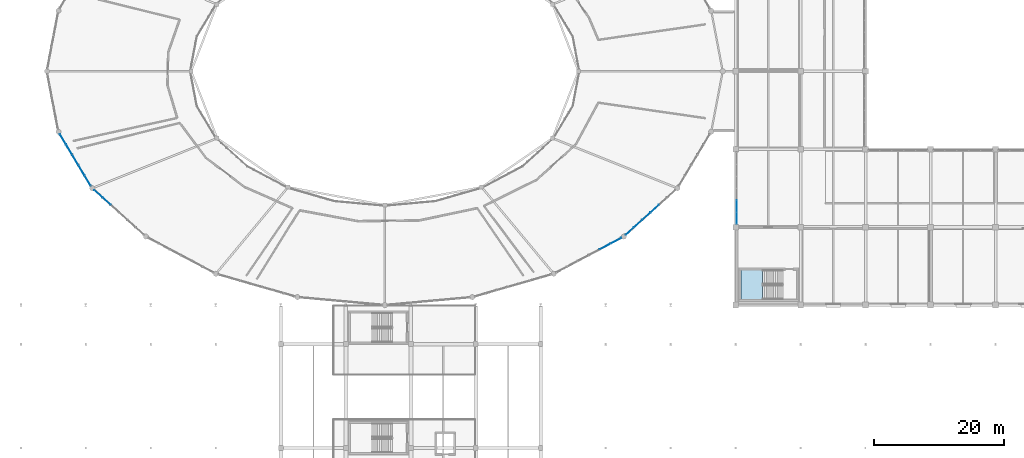
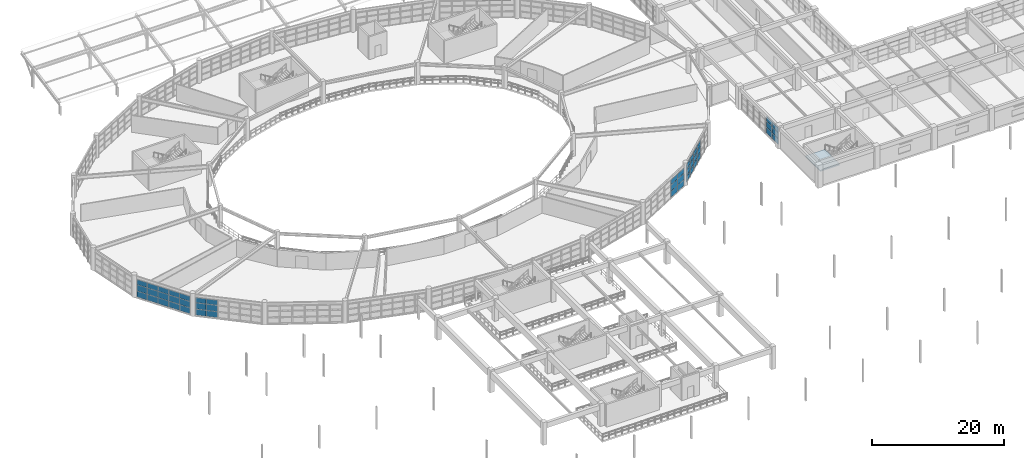
# One storey, part 64 of 100: 45 plates, 1 slab, 6 elements without a shape of their own.
"""IFC4 building model written with IfcOpenShell, lengths in metres."""

from ifc_helpers import new_model, si_unit, direction, frame, origin, origin_2d, place, context, subcontext, project, spatial, polyline, rectangle, outline, extrude, material, layer, layer_set, type_object, element, aggregate, save


model = new_model("IFC4")

# Units and contexts
model_context = context("Model", 3, precision=1e-05, world=origin(), true_north=direction((0.0, 1.0)))
body_context = subcontext(model_context, "Body", "Model", "MODEL_VIEW")
ifc_project = project(units=[si_unit("LENGTHUNIT", "METRE"), si_unit("AREAUNIT", "SQUARE_METRE"), si_unit("VOLUMEUNIT", "CUBIC_METRE"), si_unit("PLANEANGLEUNIT", "RADIAN"), si_unit("MASSUNIT", "GRAM", prefix="KILO")], contexts=[model_context])

# Site, building, storey
site_placement = place(None, origin())
site = spatial("IfcSite", under=ifc_project, at=site_placement, CompositionType="ELEMENT")
building_placement = place(site_placement, origin())
building = spatial("IfcBuilding", under=site, at=building_placement, Name="Kivolera Central Railway Station", CompositionType="ELEMENT")
storey_placement = place(building_placement, frame((0.0, 0.0, 5.39990234375)))
storey = spatial("IfcBuildingStorey", under=building, at=storey_placement, Name="L01", CompositionType="ELEMENT", Elevation=5.39990234375)

# Curtain wall, plates
ifc_material_1 = material(Name="Anodised aluminium", Category="aluminium")
ifc_layer_1 = layer(ifc_material_1, 0.179931640625, Name="Anodised aluminium")
ifc_layer_set_1 = layer_set([ifc_layer_1], Name="Anodised aluminium")
curtain_wall_type_1 = type_object("IfcCurtainWallType", Name="CW-SYS-05", PredefinedType="NOTDEFINED", material=ifc_layer_set_1)
curtain_wall_1_placement = place(storey_placement, origin())
curtain_wall_1 = element("IfcCurtainWall", 1, at=curtain_wall_1_placement, inside=storey, type_object=curtain_wall_type_1, Name="L01 Curtain Wall CW-L01-OVL-14", PredefinedType="NOTDEFINED")
ifc_material_2 = material(Name="Double low-E laminated glass", Category="glass")
ifc_layer_2 = layer(ifc_material_2, 0.02587890625, Name="Double low-E laminated glass")
ifc_layer_set_2 = layer_set([ifc_layer_2], Name="Double low-E laminated glass")
plate_type_1 = type_object("IfcPlateType", Name="CWP-GLZ-1", PredefinedType="CURTAIN_PANEL", material=ifc_layer_set_2)
plate_1_placement = place(storey_placement, frame((21.18115234375, 70.001953125, 0.05810546875), z_axis=(0.0, 0.0, 1.0), x_axis=(-0.742431873669, 0.669921572246, 0.0)))
plate_1 = element("IfcPlate", 2, at=plate_1_placement, type_object=plate_type_1, Name="CW-05 panel 5.1", PredefinedType="CURTAIN_PANEL", context=body_context, shape_type="SweptSolid", body=[
    extrude(rectangle(XDim=1.675537109375, YDim=0.02587890625, at=origin_2d()), origin(), (0.0, 0.0, 1.0), 1.087890625),
])
plate_2_placement = place(storey_placement, frame((21.18115234375, 70.001953125, 1.192138671875), z_axis=(0.0, 0.0, 1.0), x_axis=(-0.742431873669, 0.669921572246, 0.0)))
plate_2 = element("IfcPlate", 3, at=plate_2_placement, type_object=plate_type_1, Name="CW-05 panel 5.2", PredefinedType="CURTAIN_PANEL", context=body_context, shape_type="SweptSolid", body=[
    extrude(rectangle(XDim=1.675537109375, YDim=0.02587890625, at=origin_2d()), origin(), (0.0, 0.0, 1.0), 1.123046875),
])
plate_3_placement = place(storey_placement, frame((21.18115234375, 70.001953125, 2.361083984375), z_axis=(0.0, 0.0, 1.0), x_axis=(-0.742431873669, 0.669921572246, 0.0)))
plate_3 = element("IfcPlate", 4, at=plate_3_placement, type_object=plate_type_1, Name="CW-05 panel 5.3", PredefinedType="CURTAIN_PANEL", context=body_context, shape_type="SweptSolid", body=[
    extrude(rectangle(XDim=1.675537109375, YDim=0.02587890625, at=origin_2d()), origin(), (0.0, 0.0, 1.0), 0.9208984375),
])
plate_4_placement = place(storey_placement, frame((19.916015625, 71.1435546875, 0.05810546875), z_axis=(0.0, 0.0, 1.0), x_axis=(-0.742431873669, 0.669921572246, 0.0)))
plate_4 = element("IfcPlate", 5, at=plate_4_placement, type_object=plate_type_1, Name="CW-05 panel 6.1", PredefinedType="CURTAIN_PANEL", context=body_context, shape_type="SweptSolid", body=[
    extrude(rectangle(XDim=1.640625, YDim=0.02587890625, at=origin_2d()), origin(), (0.0, 0.0, 1.0), 1.087890625),
])
plate_5_placement = place(storey_placement, frame((19.916015625, 71.1435546875, 1.192138671875), z_axis=(0.0, 0.0, 1.0), x_axis=(-0.742431873669, 0.669921572246, 0.0)))
plate_5 = element("IfcPlate", 6, at=plate_5_placement, type_object=plate_type_1, Name="CW-05 panel 6.2", PredefinedType="CURTAIN_PANEL", context=body_context, shape_type="SweptSolid", body=[
    extrude(rectangle(XDim=1.640625, YDim=0.02587890625, at=origin_2d()), origin(), (0.0, 0.0, 1.0), 1.123046875),
])
plate_6_placement = place(storey_placement, frame((19.916015625, 71.1435546875, 2.361083984375), z_axis=(0.0, 0.0, 1.0), x_axis=(-0.742431873669, 0.669921572246, 0.0)))
plate_6 = element("IfcPlate", 7, at=plate_6_placement, type_object=plate_type_1, Name="CW-05 panel 6.3", PredefinedType="CURTAIN_PANEL", context=body_context, shape_type="SweptSolid", body=[
    extrude(rectangle(XDim=1.640625, YDim=0.02587890625, at=origin_2d()), origin(), (0.0, 0.0, 1.0), 0.9208984375),
])
aggregate(curtain_wall_1, [plate_1, plate_2, plate_3, plate_4, plate_5, plate_6])

ifc_layer_3 = layer(ifc_material_1, 0.179931640625, Name="Anodised aluminium")
ifc_layer_set_3 = layer_set([ifc_layer_3], Name="Anodised aluminium")
curtain_wall_type_2 = type_object("IfcCurtainWallType", Name="CW-SYS-08", PredefinedType="NOTDEFINED", material=ifc_layer_set_3)
curtain_wall_2_placement = place(storey_placement, origin())
curtain_wall_2 = element("IfcCurtainWall", 8, at=curtain_wall_2_placement, inside=storey, type_object=curtain_wall_type_2, Name="L01 Curtain Wall CW-L01-OVL-20", PredefinedType="NOTDEFINED")
ifc_layer_4 = layer(ifc_material_2, 0.030029296875, Name="Double low-E laminated glass")
ifc_layer_set_4 = layer_set([ifc_layer_4], Name="Double low-E laminated glass")
plate_type_2 = type_object("IfcPlateType", Name="CWP-GLZ-2", PredefinedType="CURTAIN_PANEL", material=ifc_layer_set_4)
plate_7_placement = place(storey_placement, frame((99.56298828125, 63.90234375, 0.05810546875), z_axis=(0.0, 0.0, 1.0), x_axis=(-0.883170250772, -0.46905256438, 0.0)))
plate_7 = element("IfcPlate", 9, at=plate_7_placement, type_object=plate_type_2, Name="CW-08 panel 1.1", PredefinedType="CURTAIN_PANEL", context=body_context, shape_type="SweptSolid", body=[
    extrude(rectangle(XDim=1.818115234375, YDim=0.030029296875, at=origin_2d()), origin(), (0.0, 0.0, 1.0), 1.087890625),
])
plate_8_placement = place(storey_placement, frame((99.56298828125, 63.90234375, 1.192138671875), z_axis=(0.0, 0.0, 1.0), x_axis=(-0.883170250772, -0.46905256438, 0.0)))
plate_8 = element("IfcPlate", 10, at=plate_8_placement, type_object=plate_type_2, Name="CW-08 panel 1.2", PredefinedType="CURTAIN_PANEL", context=body_context, shape_type="SweptSolid", body=[
    extrude(rectangle(XDim=1.818115234375, YDim=0.030029296875, at=origin_2d()), origin(), (0.0, 0.0, 1.0), 1.123046875),
])
plate_9_placement = place(storey_placement, frame((99.56298828125, 63.90234375, 2.361083984375), z_axis=(0.0, 0.0, 1.0), x_axis=(-0.883170250772, -0.46905256438, 0.0)))
plate_9 = element("IfcPlate", 11, at=plate_9_placement, type_object=plate_type_2, Name="CW-08 panel 1.3", PredefinedType="CURTAIN_PANEL", context=body_context, shape_type="SweptSolid", body=[
    extrude(rectangle(XDim=1.818115234375, YDim=0.030029296875, at=origin_2d()), origin(), (0.0, 0.0, 1.0), 0.9208984375),
])
plate_10_placement = place(storey_placement, frame((97.90087890625, 63.019775390625, 0.05810546875), z_axis=(0.0, 0.0, 1.0), x_axis=(-0.883170250772, -0.46905256438, 0.0)))
plate_10 = element("IfcPlate", 12, at=plate_10_placement, type_object=plate_type_2, Name="CW-08 panel 2.1", PredefinedType="CURTAIN_PANEL", context=body_context, shape_type="SweptSolid", body=[
    extrude(rectangle(XDim=1.853271484375, YDim=0.030029296875, at=origin_2d()), origin(), (0.0, 0.0, 1.0), 1.087890625),
])
plate_11_placement = place(storey_placement, frame((97.90087890625, 63.019775390625, 1.192138671875), z_axis=(0.0, 0.0, 1.0), x_axis=(-0.883170250772, -0.46905256438, 0.0)))
plate_11 = element("IfcPlate", 13, at=plate_11_placement, type_object=plate_type_2, Name="CW-08 panel 2.2", PredefinedType="CURTAIN_PANEL", context=body_context, shape_type="SweptSolid", body=[
    extrude(rectangle(XDim=1.853271484375, YDim=0.030029296875, at=origin_2d()), origin(), (0.0, 0.0, 1.0), 1.123046875),
])
plate_12_placement = place(storey_placement, frame((97.90087890625, 63.019775390625, 2.361083984375), z_axis=(0.0, 0.0, 1.0), x_axis=(-0.883170250772, -0.46905256438, 0.0)))
plate_12 = element("IfcPlate", 14, at=plate_12_placement, type_object=plate_type_2, Name="CW-08 panel 2.3", PredefinedType="CURTAIN_PANEL", context=body_context, shape_type="SweptSolid", body=[
    extrude(rectangle(XDim=1.853271484375, YDim=0.030029296875, at=origin_2d()), origin(), (0.0, 0.0, 1.0), 0.9208984375),
])
aggregate(curtain_wall_2, [plate_7, plate_8, plate_9, plate_10, plate_11, plate_12])

ifc_layer_5 = layer(ifc_material_1, 0.179931640625, Name="Anodised aluminium")
ifc_layer_set_5 = layer_set([ifc_layer_5], Name="Anodised aluminium")
curtain_wall_type_3 = type_object("IfcCurtainWallType", Name="CW-SYS-26", PredefinedType="NOTDEFINED", material=ifc_layer_set_5)
curtain_wall_3_placement = place(storey_placement, origin())
curtain_wall_3 = element("IfcCurtainWall", 15, at=curtain_wall_3_placement, inside=storey, type_object=curtain_wall_type_3, Name="L01 Curtain Wall CW-L01-WEST-F", PredefinedType="NOTDEFINED")
plate_13_placement = place(storey_placement, frame((118.159912109375, 67.388427734375, 0.05810546875), z_axis=(0.0, 0.0, 1.0), x_axis=(0.0, 1.0, 0.0)))
plate_13 = element("IfcPlate", 16, at=plate_13_placement, type_object=plate_type_2, Name="CW-26 panel 1.1", PredefinedType="CURTAIN_PANEL", context=body_context, shape_type="SweptSolid", body=[
    extrude(rectangle(XDim=1.770751953125, YDim=0.030029296875, at=origin_2d()), origin(), (0.0, 0.0, 1.0), 1.04541015625),
])
plate_14_placement = place(storey_placement, frame((118.159912109375, 67.388427734375, 1.1494140625), z_axis=(0.0, 0.0, 1.0), x_axis=(0.0, 1.0, 0.0)))
plate_14 = element("IfcPlate", 17, at=plate_14_placement, type_object=plate_type_2, Name="CW-26 panel 1.2", PredefinedType="CURTAIN_PANEL", context=body_context, shape_type="SweptSolid", body=[
    extrude(rectangle(XDim=1.770751953125, YDim=0.030029296875, at=origin_2d()), origin(), (0.0, 0.0, 1.0), 1.080322265625),
])
plate_15_placement = place(storey_placement, frame((118.159912109375, 67.388427734375, 2.27587890625), z_axis=(0.0, 0.0, 1.0), x_axis=(0.0, 1.0, 0.0)))
plate_15 = element("IfcPlate", 18, at=plate_15_placement, type_object=plate_type_2, Name="CW-26 panel 1.3", PredefinedType="CURTAIN_PANEL", context=body_context, shape_type="SweptSolid", body=[
    extrude(rectangle(XDim=1.770751953125, YDim=0.030029296875, at=origin_2d()), origin(), (0.0, 0.0, 1.0), 0.884521484375),
])
plate_16_placement = place(storey_placement, frame((118.159912109375, 69.222412109375, 0.05810546875), z_axis=(0.0, 0.0, 1.0), x_axis=(0.0, 1.0, 0.0)))
plate_16 = element("IfcPlate", 19, at=plate_16_placement, type_object=plate_type_2, Name="CW-26 panel 2.1", PredefinedType="CURTAIN_PANEL", context=body_context, shape_type="SweptSolid", body=[
    extrude(rectangle(XDim=1.8056640625, YDim=0.030029296875, at=origin_2d()), origin(), (0.0, 0.0, 1.0), 1.04541015625),
])
plate_17_placement = place(storey_placement, frame((118.159912109375, 69.222412109375, 1.1494140625), z_axis=(0.0, 0.0, 1.0), x_axis=(0.0, 1.0, 0.0)))
plate_17 = element("IfcPlate", 20, at=plate_17_placement, type_object=plate_type_2, Name="CW-26 panel 2.2", PredefinedType="CURTAIN_PANEL", context=body_context, shape_type="SweptSolid", body=[
    extrude(rectangle(XDim=1.8056640625, YDim=0.030029296875, at=origin_2d()), origin(), (0.0, 0.0, 1.0), 1.080322265625),
])
plate_18_placement = place(storey_placement, frame((118.159912109375, 69.222412109375, 2.27587890625), z_axis=(0.0, 0.0, 1.0), x_axis=(0.0, 1.0, 0.0)))
plate_18 = element("IfcPlate", 21, at=plate_18_placement, type_object=plate_type_2, Name="CW-26 panel 2.3", PredefinedType="CURTAIN_PANEL", context=body_context, shape_type="SweptSolid", body=[
    extrude(rectangle(XDim=1.8056640625, YDim=0.030029296875, at=origin_2d()), origin(), (0.0, 0.0, 1.0), 0.884521484375),
])
aggregate(curtain_wall_3, [plate_13, plate_14, plate_15, plate_16, plate_17, plate_18])

curtain_wall_4_placement = place(storey_placement, origin())
curtain_wall_4 = element("IfcCurtainWall", 22, at=curtain_wall_4_placement, inside=storey, type_object=curtain_wall_type_1, Name="L01 Curtain Wall CW-L01-OVL-21", PredefinedType="NOTDEFINED")
ifc_layer_6 = layer(ifc_material_2, 0.033935546875, Name="Double low-E laminated glass")
ifc_layer_set_6 = layer_set([ifc_layer_6], Name="Double low-E laminated glass")
plate_type_3 = type_object("IfcPlateType", Name="CWP-GLZ-3", PredefinedType="CURTAIN_PANEL", material=ifc_layer_set_6)
plate_19_placement = place(storey_placement, frame((105.54052734375, 68.8486328125, 0.05810546875), z_axis=(0.0, 0.0, 1.0), x_axis=(-0.742431873669, -0.669921572246, 0.0)))
plate_19 = element("IfcPlate", 23, at=plate_19_placement, type_object=plate_type_3, Name="CW-05 panel 3.1", PredefinedType="CURTAIN_PANEL", context=body_context, shape_type="SweptSolid", body=[
    extrude(rectangle(XDim=1.675537109375, YDim=0.033935546875, at=origin_2d()), origin(), (0.0, 0.0, 1.0), 1.087890625),
])
plate_20_placement = place(storey_placement, frame((105.54052734375, 68.8486328125, 1.192138671875), z_axis=(0.0, 0.0, 1.0), x_axis=(-0.742431873669, -0.669921572246, 0.0)))
plate_20 = element("IfcPlate", 24, at=plate_20_placement, type_object=plate_type_3, Name="CW-05 panel 3.2", PredefinedType="CURTAIN_PANEL", context=body_context, shape_type="SweptSolid", body=[
    extrude(rectangle(XDim=1.675537109375, YDim=0.033935546875, at=origin_2d()), origin(), (0.0, 0.0, 1.0), 1.123046875),
])
plate_21_placement = place(storey_placement, frame((105.54052734375, 68.8486328125, 2.361083984375), z_axis=(0.0, 0.0, 1.0), x_axis=(-0.742431873669, -0.669921572246, 0.0)))
plate_21 = element("IfcPlate", 25, at=plate_21_placement, type_object=plate_type_3, Name="CW-05 panel 3.3", PredefinedType="CURTAIN_PANEL", context=body_context, shape_type="SweptSolid", body=[
    extrude(rectangle(XDim=1.675537109375, YDim=0.033935546875, at=origin_2d()), origin(), (0.0, 0.0, 1.0), 0.9208984375),
])
plate_22_placement = place(storey_placement, frame((104.262451171875, 67.6953125, 0.05810546875), z_axis=(0.0, 0.0, 1.0), x_axis=(-0.742431873669, -0.669921572246, 0.0)))
plate_22 = element("IfcPlate", 26, at=plate_22_placement, type_object=plate_type_3, Name="CW-05 panel 4.1", PredefinedType="CURTAIN_PANEL", context=body_context, shape_type="SweptSolid", body=[
    extrude(rectangle(XDim=1.675537109375, YDim=0.033935546875, at=origin_2d()), origin(), (0.0, 0.0, 1.0), 1.087890625),
])
plate_23_placement = place(storey_placement, frame((104.262451171875, 67.6953125, 1.192138671875), z_axis=(0.0, 0.0, 1.0), x_axis=(-0.742431873669, -0.669921572246, 0.0)))
plate_23 = element("IfcPlate", 27, at=plate_23_placement, type_object=plate_type_3, Name="CW-05 panel 4.2", PredefinedType="CURTAIN_PANEL", context=body_context, shape_type="SweptSolid", body=[
    extrude(rectangle(XDim=1.675537109375, YDim=0.033935546875, at=origin_2d()), origin(), (0.0, 0.0, 1.0), 1.123046875),
])
plate_24_placement = place(storey_placement, frame((104.262451171875, 67.6953125, 2.361083984375), z_axis=(0.0, 0.0, 1.0), x_axis=(-0.742431873669, -0.669921572246, 0.0)))
plate_24 = element("IfcPlate", 28, at=plate_24_placement, type_object=plate_type_3, Name="CW-05 panel 4.3", PredefinedType="CURTAIN_PANEL", context=body_context, shape_type="SweptSolid", body=[
    extrude(rectangle(XDim=1.675537109375, YDim=0.033935546875, at=origin_2d()), origin(), (0.0, 0.0, 1.0), 0.9208984375),
])
plate_25_placement = place(storey_placement, frame((102.984130859375, 66.5419921875, 0.05810546875), z_axis=(0.0, 0.0, 1.0), x_axis=(-0.742431873669, -0.669921572246, 0.0)))
plate_25 = element("IfcPlate", 29, at=plate_25_placement, type_object=plate_type_3, Name="CW-05 panel 5.1", PredefinedType="CURTAIN_PANEL", context=body_context, shape_type="SweptSolid", body=[
    extrude(rectangle(XDim=1.675537109375, YDim=0.033935546875, at=origin_2d()), origin(), (0.0, 0.0, 1.0), 1.087890625),
])
plate_26_placement = place(storey_placement, frame((102.984130859375, 66.5419921875, 1.192138671875), z_axis=(0.0, 0.0, 1.0), x_axis=(-0.742431873669, -0.669921572246, 0.0)))
plate_26 = element("IfcPlate", 30, at=plate_26_placement, type_object=plate_type_3, Name="CW-05 panel 5.2", PredefinedType="CURTAIN_PANEL", context=body_context, shape_type="SweptSolid", body=[
    extrude(rectangle(XDim=1.675537109375, YDim=0.033935546875, at=origin_2d()), origin(), (0.0, 0.0, 1.0), 1.123046875),
])
plate_27_placement = place(storey_placement, frame((102.984130859375, 66.5419921875, 2.361083984375), z_axis=(0.0, 0.0, 1.0), x_axis=(-0.742431873669, -0.669921572246, 0.0)))
plate_27 = element("IfcPlate", 31, at=plate_27_placement, type_object=plate_type_3, Name="CW-05 panel 5.3", PredefinedType="CURTAIN_PANEL", context=body_context, shape_type="SweptSolid", body=[
    extrude(rectangle(XDim=1.675537109375, YDim=0.033935546875, at=origin_2d()), origin(), (0.0, 0.0, 1.0), 0.9208984375),
])
plate_28_placement = place(storey_placement, frame((101.718994140625, 65.400390625, 0.05810546875), z_axis=(0.0, 0.0, 1.0), x_axis=(-0.742431873669, -0.669921572246, 0.0)))
plate_28 = element("IfcPlate", 32, at=plate_28_placement, type_object=plate_type_3, Name="CW-05 panel 6.1", PredefinedType="CURTAIN_PANEL", context=body_context, shape_type="SweptSolid", body=[
    extrude(rectangle(XDim=1.640625, YDim=0.033935546875, at=origin_2d()), origin(), (0.0, 0.0, 1.0), 1.087890625),
])
plate_29_placement = place(storey_placement, frame((101.718994140625, 65.400390625, 1.192138671875), z_axis=(0.0, 0.0, 1.0), x_axis=(-0.742431873669, -0.669921572246, 0.0)))
plate_29 = element("IfcPlate", 33, at=plate_29_placement, type_object=plate_type_3, Name="CW-05 panel 6.2", PredefinedType="CURTAIN_PANEL", context=body_context, shape_type="SweptSolid", body=[
    extrude(rectangle(XDim=1.640625, YDim=0.033935546875, at=origin_2d()), origin(), (0.0, 0.0, 1.0), 1.123046875),
])
plate_30_placement = place(storey_placement, frame((101.718994140625, 65.400390625, 2.361083984375), z_axis=(0.0, 0.0, 1.0), x_axis=(-0.742431873669, -0.669921572246, 0.0)))
plate_30 = element("IfcPlate", 34, at=plate_30_placement, type_object=plate_type_3, Name="CW-05 panel 6.3", PredefinedType="CURTAIN_PANEL", context=body_context, shape_type="SweptSolid", body=[
    extrude(rectangle(XDim=1.640625, YDim=0.033935546875, at=origin_2d()), origin(), (0.0, 0.0, 1.0), 0.9208984375),
])
aggregate(curtain_wall_4, [plate_19, plate_20, plate_21, plate_22, plate_23, plate_24, plate_25, plate_26, plate_27, plate_28, plate_29, plate_30])

ifc_layer_7 = layer(ifc_material_1, 0.179931640625, Name="Anodised aluminium")
ifc_layer_set_7 = layer_set([ifc_layer_7], Name="Anodised aluminium")
curtain_wall_type_4 = type_object("IfcCurtainWallType", Name="CW-SYS-02", PredefinedType="NOTDEFINED", material=ifc_layer_set_7)
curtain_wall_5_placement = place(storey_placement, origin())
curtain_wall_5 = element("IfcCurtainWall", 35, at=curtain_wall_5_placement, inside=storey, type_object=curtain_wall_type_4, Name="L01 Curtain Wall CW-L01-OVL-13", PredefinedType="NOTDEFINED")
ifc_layer_8 = layer(ifc_material_2, 0.0419921875, Name="Double low-E laminated glass")
ifc_layer_set_8 = layer_set([ifc_layer_8], Name="Double low-E laminated glass")
plate_type_4 = type_object("IfcPlateType", Name="CWP-GLZ-5", PredefinedType="CURTAIN_PANEL", material=ifc_layer_set_8)
plate_31_placement = place(storey_placement, frame((18.2744140625, 73.15771484375, 0.05810546875), z_axis=(0.0, 0.0, 1.0), x_axis=(-0.513453894052, 0.858117182372, 0.0)))
plate_31 = element("IfcPlate", 36, at=plate_31_placement, type_object=plate_type_4, Name="CW-02 panel 1.1", PredefinedType="CURTAIN_PANEL", context=body_context, shape_type="SweptSolid", body=[
    extrude(rectangle(XDim=1.782958984375, YDim=0.0419921875, at=origin_2d()), origin(), (0.0, 0.0, 1.0), 1.087890625),
])
plate_32_placement = place(storey_placement, frame((18.2744140625, 73.15771484375, 1.192138671875), z_axis=(0.0, 0.0, 1.0), x_axis=(-0.513453894052, 0.858117182372, 0.0)))
plate_32 = element("IfcPlate", 37, at=plate_32_placement, type_object=plate_type_4, Name="CW-02 panel 1.2", PredefinedType="CURTAIN_PANEL", context=body_context, shape_type="SweptSolid", body=[
    extrude(rectangle(XDim=1.782958984375, YDim=0.0419921875, at=origin_2d()), origin(), (0.0, 0.0, 1.0), 1.123046875),
])
plate_33_placement = place(storey_placement, frame((18.2744140625, 73.15771484375, 2.361083984375), z_axis=(0.0, 0.0, 1.0), x_axis=(-0.513453894052, 0.858117182372, 0.0)))
plate_33 = element("IfcPlate", 38, at=plate_33_placement, type_object=plate_type_4, Name="CW-02 panel 1.3", PredefinedType="CURTAIN_PANEL", context=body_context, shape_type="SweptSolid", body=[
    extrude(rectangle(XDim=1.782958984375, YDim=0.0419921875, at=origin_2d()), origin(), (0.0, 0.0, 1.0), 0.9208984375),
])
plate_34_placement = place(storey_placement, frame((17.326416015625, 74.7421875, 0.05810546875), z_axis=(0.0, 0.0, 1.0), x_axis=(-0.513453894052, 0.858117182372, 0.0)))
plate_34 = element("IfcPlate", 39, at=plate_34_placement, type_object=plate_type_4, Name="CW-02 panel 2.1", PredefinedType="CURTAIN_PANEL", context=body_context, shape_type="SweptSolid", body=[
    extrude(rectangle(XDim=1.81787109375, YDim=0.0419921875, at=origin_2d()), origin(), (0.0, 0.0, 1.0), 1.087890625),
])
plate_35_placement = place(storey_placement, frame((17.326416015625, 74.7421875, 1.192138671875), z_axis=(0.0, 0.0, 1.0), x_axis=(-0.513453894052, 0.858117182372, 0.0)))
plate_35 = element("IfcPlate", 40, at=plate_35_placement, type_object=plate_type_4, Name="CW-02 panel 2.2", PredefinedType="CURTAIN_PANEL", context=body_context, shape_type="SweptSolid", body=[
    extrude(rectangle(XDim=1.81787109375, YDim=0.0419921875, at=origin_2d()), origin(), (0.0, 0.0, 1.0), 1.123046875),
])
plate_36_placement = place(storey_placement, frame((17.326416015625, 74.7421875, 2.361083984375), z_axis=(0.0, 0.0, 1.0), x_axis=(-0.513453894052, 0.858117182372, 0.0)))
plate_36 = element("IfcPlate", 41, at=plate_36_placement, type_object=plate_type_4, Name="CW-02 panel 2.3", PredefinedType="CURTAIN_PANEL", context=body_context, shape_type="SweptSolid", body=[
    extrude(rectangle(XDim=1.81787109375, YDim=0.0419921875, at=origin_2d()), origin(), (0.0, 0.0, 1.0), 0.9208984375),
])
plate_37_placement = place(storey_placement, frame((16.369384765625, 76.341552734375, 0.05810546875), z_axis=(0.0, 0.0, 1.0), x_axis=(-0.513453894052, 0.858117182372, 0.0)))
plate_37 = element("IfcPlate", 42, at=plate_37_placement, type_object=plate_type_4, Name="CW-02 panel 3.1", PredefinedType="CURTAIN_PANEL", context=body_context, shape_type="SweptSolid", body=[
    extrude(rectangle(XDim=1.81787109375, YDim=0.0419921875, at=origin_2d()), origin(), (0.0, 0.0, 1.0), 1.087890625),
])
plate_38_placement = place(storey_placement, frame((16.369384765625, 76.341552734375, 1.192138671875), z_axis=(0.0, 0.0, 1.0), x_axis=(-0.513453894052, 0.858117182372, 0.0)))
plate_38 = element("IfcPlate", 43, at=plate_38_placement, type_object=plate_type_4, Name="CW-02 panel 3.2", PredefinedType="CURTAIN_PANEL", context=body_context, shape_type="SweptSolid", body=[
    extrude(rectangle(XDim=1.81787109375, YDim=0.0419921875, at=origin_2d()), origin(), (0.0, 0.0, 1.0), 1.123046875),
])
plate_39_placement = place(storey_placement, frame((16.369384765625, 76.341552734375, 2.361083984375), z_axis=(0.0, 0.0, 1.0), x_axis=(-0.513453894052, 0.858117182372, 0.0)))
plate_39 = element("IfcPlate", 44, at=plate_39_placement, type_object=plate_type_4, Name="CW-02 panel 3.3", PredefinedType="CURTAIN_PANEL", context=body_context, shape_type="SweptSolid", body=[
    extrude(rectangle(XDim=1.81787109375, YDim=0.0419921875, at=origin_2d()), origin(), (0.0, 0.0, 1.0), 0.9208984375),
])
plate_40_placement = place(storey_placement, frame((15.41259765625, 77.94091796875, 0.05810546875), z_axis=(0.0, 0.0, 1.0), x_axis=(-0.513453894052, 0.858117182372, 0.0)))
plate_40 = element("IfcPlate", 45, at=plate_40_placement, type_object=plate_type_4, Name="CW-02 panel 4.1", PredefinedType="CURTAIN_PANEL", context=body_context, shape_type="SweptSolid", body=[
    extrude(rectangle(XDim=1.81787109375, YDim=0.0419921875, at=origin_2d()), origin(), (0.0, 0.0, 1.0), 1.087890625),
])
plate_41_placement = place(storey_placement, frame((15.41259765625, 77.94091796875, 1.192138671875), z_axis=(0.0, 0.0, 1.0), x_axis=(-0.513453894052, 0.858117182372, 0.0)))
plate_41 = element("IfcPlate", 46, at=plate_41_placement, type_object=plate_type_4, Name="CW-02 panel 4.2", PredefinedType="CURTAIN_PANEL", context=body_context, shape_type="SweptSolid", body=[
    extrude(rectangle(XDim=1.81787109375, YDim=0.0419921875, at=origin_2d()), origin(), (0.0, 0.0, 1.0), 1.123046875),
])
plate_42_placement = place(storey_placement, frame((15.41259765625, 77.94091796875, 2.361083984375), z_axis=(0.0, 0.0, 1.0), x_axis=(-0.513453894052, 0.858117182372, 0.0)))
plate_42 = element("IfcPlate", 47, at=plate_42_placement, type_object=plate_type_4, Name="CW-02 panel 4.3", PredefinedType="CURTAIN_PANEL", context=body_context, shape_type="SweptSolid", body=[
    extrude(rectangle(XDim=1.81787109375, YDim=0.0419921875, at=origin_2d()), origin(), (0.0, 0.0, 1.0), 0.9208984375),
])
plate_43_placement = place(storey_placement, frame((14.464599609375, 79.525390625, 0.05810546875), z_axis=(0.0, 0.0, 1.0), x_axis=(-0.513453894052, 0.858117182372, 0.0)))
plate_43 = element("IfcPlate", 48, at=plate_43_placement, type_object=plate_type_4, Name="CW-02 panel 5.1", PredefinedType="CURTAIN_PANEL", context=body_context, shape_type="SweptSolid", body=[
    extrude(rectangle(XDim=1.782958984375, YDim=0.0419921875, at=origin_2d()), origin(), (0.0, 0.0, 1.0), 1.087890625),
])
plate_44_placement = place(storey_placement, frame((14.464599609375, 79.525390625, 1.192138671875), z_axis=(0.0, 0.0, 1.0), x_axis=(-0.513453894052, 0.858117182372, 0.0)))
plate_44 = element("IfcPlate", 49, at=plate_44_placement, type_object=plate_type_4, Name="CW-02 panel 5.2", PredefinedType="CURTAIN_PANEL", context=body_context, shape_type="SweptSolid", body=[
    extrude(rectangle(XDim=1.782958984375, YDim=0.0419921875, at=origin_2d()), origin(), (0.0, 0.0, 1.0), 1.123046875),
])
plate_45_placement = place(storey_placement, frame((14.464599609375, 79.525390625, 2.361083984375), z_axis=(0.0, 0.0, 1.0), x_axis=(-0.513453894052, 0.858117182372, 0.0)))
plate_45 = element("IfcPlate", 50, at=plate_45_placement, type_object=plate_type_4, Name="CW-02 panel 5.3", PredefinedType="CURTAIN_PANEL", context=body_context, shape_type="SweptSolid", body=[
    extrude(rectangle(XDim=1.782958984375, YDim=0.0419921875, at=origin_2d()), origin(), (0.0, 0.0, 1.0), 0.9208984375),
])
aggregate(curtain_wall_5, [plate_31, plate_32, plate_33, plate_34, plate_35, plate_36, plate_37, plate_38, plate_39, plate_40, plate_41, plate_42, plate_43, plate_44, plate_45])

# Stair, slab
ifc_material_3 = material(Name="Concrete C40/50", Category="concrete")
stair_type = type_object("IfcStairType", Name="STR-2160-24", PredefinedType="HALF_TURN_STAIR", material=ifc_material_3)
stair_placement = place(storey_placement, origin())
stair = element("IfcStair", 51, at=stair_placement, inside=storey, type_object=stair_type, Name="L01 Protected Exit Stair ST4", PredefinedType="HALF_TURN_STAIR")
ifc_layer_9 = layer(ifc_material_3, 0.199951171875, Name="Concrete C40/50")
ifc_layer_set_9 = layer_set([ifc_layer_9], Name="Concrete C40/50")
slab_type = type_object("IfcSlabType", Name="SLB-LND-200", PredefinedType="LANDING", material=ifc_layer_set_9)
slab_placement = place(storey_placement, frame((0.0, 0.0, 1.900146484375)))
slab = element("IfcSlab", 52, at=slab_placement, type_object=slab_type, Name="ST4 landing 1", PredefinedType="LANDING", context=body_context, shape_type="SweptSolid", body=[
    extrude(outline(polyline([(122.159912109375, 59.39990234375), (118.800048828125, 59.39990234375), (118.800048828125, 54.89990234375), (122.159912109375, 54.89990234375), (122.159912109375, 59.39990234375)])), origin(), (0.0, 0.0, 1.0), 0.199951171875),
])
aggregate(stair, [slab])

save(model, "model.ifc")
